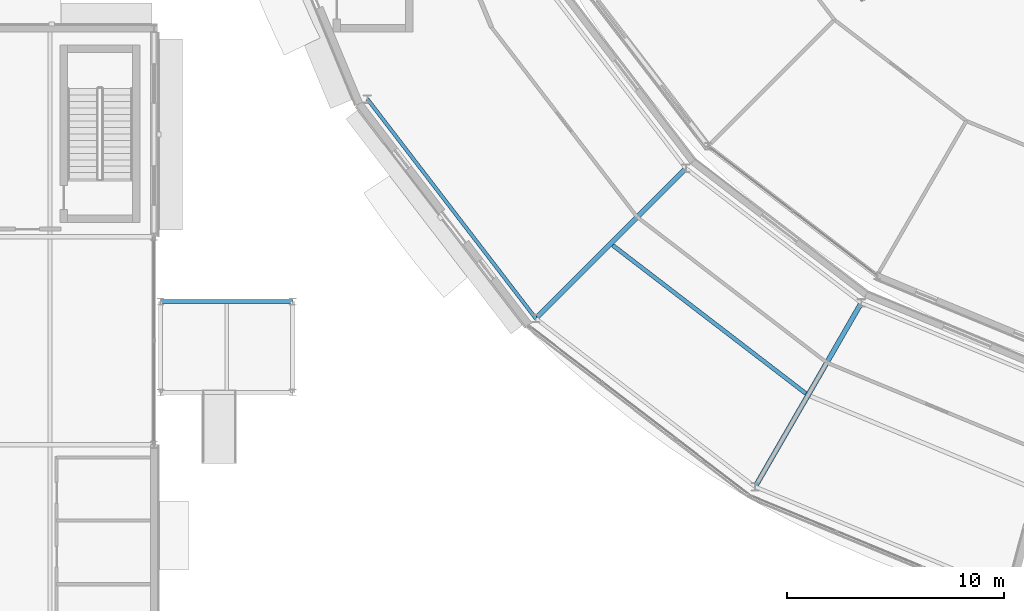
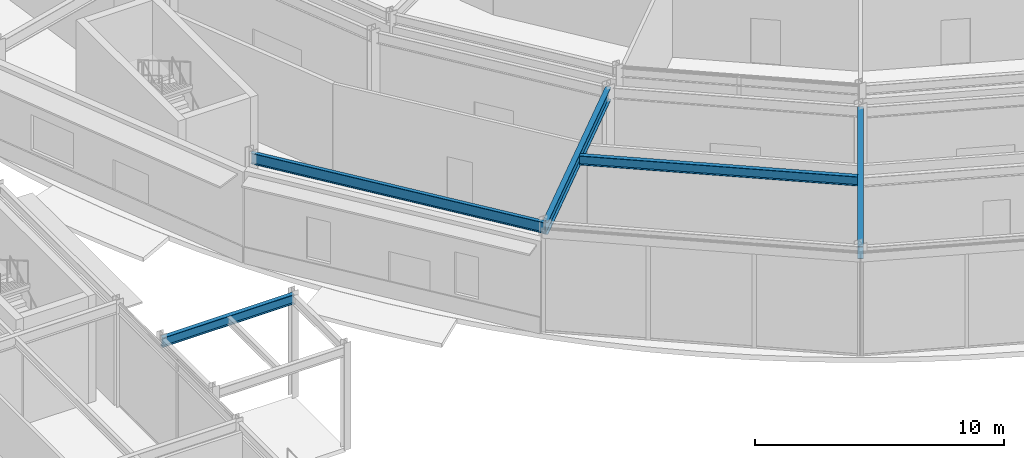
# One storey, part 29 of 168: 5 beams.
"""IFC4 building model written with IfcOpenShell, lengths in metres."""

import ifcopenshell
import ifcopenshell.guid

model = None  # the IFC model being written
_history = None  # IfcOwnerHistory: only IFC2X3 demands one
_inside = {}  # id of a spatial element -> (the spatial element, [elements in it])
_under = {}  # id of a project, library or spatial element -> (it, [spatial elements below it])
_declared = {}  # id of a project -> (the project, [libraries it declares])
_typed = {}  # id of a type object -> (the type object, [elements of that type])
_made_of = {}  # id of a material, layer set ... -> (it, [elements and type objects made of it])


def new_model(schema):
    """Start an empty IFC model of exactly this schema.

    Asked for "IFC4X3", IfcOpenShell would pick the latest addendum, in which some entities
    have other attributes; the version numbers below select the first issue.
    IFC2X3 requires an IfcOwnerHistory on every rooted entity: one is made here for all.
    """
    global model, _history
    if schema == "IFC4X3":
        model = ifcopenshell.file(schema_version=(4, 3, 0, 0))
    else:
        model = ifcopenshell.file(schema=schema)
    _inside.clear()
    _under.clear()
    _declared.clear()
    _typed.clear()
    _made_of.clear()
    _history = None
    if model.schema == "IFC2X3":
        org = make("IfcOrganization", Name="unknown")
        user = make(
            "IfcPersonAndOrganization",
            ThePerson=make("IfcPerson", FamilyName="unknown"),
            TheOrganization=org,
        )
        app = make(
            "IfcApplication",
            ApplicationDeveloper=org,
            Version="unknown",
            ApplicationFullName="unknown",
            ApplicationIdentifier="unknown",
        )
        _history = make(
            "IfcOwnerHistory",
            OwningUser=user,
            OwningApplication=app,
            ChangeAction="ADDED",
            CreationDate=0,
        )
    return model


def make(cls, **values):
    """One entity of the class cls with the attributes given. An attribute that is None is left unset."""
    return model.create_entity(
        cls, **{name: value for name, value in values.items() if value is not None}
    )


def rooted(cls, **values):
    """An entity with a GlobalId (a new one), such as an element, a storey or a relation."""
    return make(cls, GlobalId=ifcopenshell.guid.new(), OwnerHistory=_history, **values)


def si_unit(unit_type, name, prefix=None):
    """IfcSIUnit, for example si_unit("LENGTHUNIT", "METRE", prefix="MILLI")."""
    return make("IfcSIUnit", UnitType=unit_type, Prefix=prefix, Name=name)


def assignment(units):
    """IfcUnitAssignment: the units of a project."""
    return None if units is None else make("IfcUnitAssignment", Units=units)


def point(xyz):
    """IfcCartesianPoint."""
    return None if xyz is None else make("IfcCartesianPoint", Coordinates=xyz)


def direction(xyz):
    """IfcDirection."""
    return None if xyz is None else make("IfcDirection", DirectionRatios=xyz)


def frame(location, z_axis=None, x_axis=None):
    """IfcAxis2Placement3D, a coordinate frame: its origin and axes. An axis left out is left unset."""
    return make(
        "IfcAxis2Placement3D",
        Location=point(location),
        Axis=direction(z_axis),
        RefDirection=direction(x_axis),
    )


def frame_2d(location, x_axis=None):
    """IfcAxis2Placement2D, a coordinate frame in the plane: its origin and x axis."""
    return make(
        "IfcAxis2Placement2D", Location=point(location), RefDirection=direction(x_axis)
    )


def origin():
    """The frame at (0, 0, 0) with its axes left unset."""
    return frame((0.0, 0.0, 0.0))


def origin_2d():
    """The frame at (0, 0) in the plane with its x axis left unset."""
    return frame_2d((0.0, 0.0))


def place(relative_to, where):
    """IfcLocalPlacement: puts the frame where relative to a parent placement (None: the world)."""
    return make(
        "IfcLocalPlacement", PlacementRelTo=relative_to, RelativePlacement=where
    )


def context(
    kind, dimensions, precision=None, world=None, true_north=None, identifier=None
):
    """IfcGeometricRepresentationContext, for example the 3D "Model" context."""
    return make(
        "IfcGeometricRepresentationContext",
        ContextIdentifier=identifier,
        ContextType=kind,
        CoordinateSpaceDimension=dimensions,
        Precision=precision,
        WorldCoordinateSystem=world,
        TrueNorth=true_north,
    )


def subcontext(parent, identifier, kind, view, scale=None):
    """IfcGeometricRepresentationSubContext, for example "Body" below "Model"."""
    return make(
        "IfcGeometricRepresentationSubContext",
        ContextIdentifier=identifier,
        ContextType=kind,
        ParentContext=parent,
        TargetScale=scale,
        TargetView=view,
    )


def project(units=None, contexts=None):
    """IfcProject with its units and contexts."""
    return rooted(
        "IfcProject",
        Name="project",
        RepresentationContexts=contexts,
        UnitsInContext=assignment(units),
    )


def spatial(cls, under=None, at=None, **own):
    """A site, building, storey or space (cls), placed at a placement, below another one or the project."""
    s = rooted(cls, ObjectPlacement=at, **own)
    if under is not None:
        _under.setdefault(under.id(), (under, []))[1].append(s)
    return s


def profile(cls, at=None, kind="AREA", **sizes):
    """A parametric profile (cls). Its sizes go by their IFC names, for example OverallWidth=200.0."""
    return make(cls, ProfileType=kind, Position=at, **sizes)


def i_section(**sizes):
    """IfcIShapeProfileDef."""
    return profile("IfcIShapeProfileDef", **sizes)


def extrude(swept, where, along, depth):
    """IfcExtrudedAreaSolid: the profile swept, set in the frame where, extruded along a direction by depth."""
    return make(
        "IfcExtrudedAreaSolid",
        SweptArea=swept,
        Position=where,
        ExtrudedDirection=direction(along),
        Depth=depth,
    )


def shape(context_of_items, identifier, shape_type, items):
    """IfcShapeRepresentation: the items that make up one representation, for example the "Body"."""
    return make(
        "IfcShapeRepresentation",
        ContextOfItems=context_of_items,
        RepresentationIdentifier=identifier,
        RepresentationType=shape_type,
        Items=items,
    )


def material(Name=None, Category=None):
    """IfcMaterial."""
    return make("IfcMaterial", Name=Name, Category=Category)


def material_profile(
    of_material, cross_section, Name=None, Category=None, Priority=None
):
    """IfcMaterialProfile: a cross section and its material."""
    return make(
        "IfcMaterialProfile",
        Name=Name,
        Material=of_material,
        Profile=cross_section,
        Priority=Priority,
        Category=Category,
    )


def profile_set(profiles, Name=None, composite=None):
    """IfcMaterialProfileSet."""
    return make(
        "IfcMaterialProfileSet",
        Name=Name,
        MaterialProfiles=profiles,
        CompositeProfile=composite,
    )


def made_of(thing, what):
    """Note that an element or type object is made of a material, layer set ...; save() writes the relation."""
    if what is not None:
        _made_of.setdefault(what.id(), (what, []))[1].append(thing)
    return thing


def type_object(cls, material=None, **own):
    """A type object (cls), such as IfcWallType, which elements share."""
    return made_of(rooted(cls, **own), material)


def element(
    cls,
    number,
    at=None,
    inside=None,
    cuts=None,
    type_object=None,
    material=None,
    context=None,
    identifier="Body",
    shape_type=None,
    held_by="IfcProductDefinitionShape",
    body=None,
    shapes=None,
    **own,
):
    """One element of the class cls, such as IfcWall. Its Tag is "e" and its number.

    at: its placement. inside: the storey or other place that contains it. cuts: it is an
    opening in that element (IfcRelVoidsElement). A single representation is given by context,
    identifier, shape_type and body (its items); several are given by shapes. held_by: the class
    of the entity that holds the representations. save() writes the other relations.
    """
    e = rooted(cls, Tag="e%d" % number, ObjectPlacement=at, **own)
    if body is not None:
        shapes = [shape(context, identifier, shape_type, body)]
    if shapes is not None:
        e.Representation = make(held_by, Representations=shapes)
    if inside is not None:
        _inside.setdefault(inside.id(), (inside, []))[1].append(e)
    if cuts is not None:
        rooted(
            "IfcRelVoidsElement", RelatingBuildingElement=cuts, RelatedOpeningElement=e
        )
    if type_object is not None:
        _typed.setdefault(type_object.id(), (type_object, []))[1].append(e)
    return made_of(e, material)


def aggregate(whole, parts):
    """IfcRelAggregates: a whole, such as a stair, and the parts it consists of."""
    return rooted("IfcRelAggregates", RelatingObject=whole, RelatedObjects=parts)


def save(model, path):
    """Write the relations noted so far, then the file.

    IfcRelAggregates (storeys below a building ...), IfcRelContainedInSpatialStructure (elements
    in a storey), IfcRelDefinesByType, IfcRelAssociatesMaterial and IfcRelDeclares: one each for
    every whole, place, type object, material and project.
    """
    for whole, parts in _under.values():
        aggregate(whole, parts)
    for where, things in _inside.values():
        rooted(
            "IfcRelContainedInSpatialStructure",
            RelatedElements=things,
            RelatingStructure=where,
        )
    for kind, things in _typed.values():
        rooted("IfcRelDefinesByType", RelatedObjects=things, RelatingType=kind)
    for what, things in _made_of.values():
        rooted("IfcRelAssociatesMaterial", RelatedObjects=things, RelatingMaterial=what)
    for by, libraries in _declared.values():
        rooted("IfcRelDeclares", RelatingContext=by, RelatedDefinitions=libraries)
    model.write(path)


model = new_model("IFC4")

# Units and contexts
model_context = context("Model", 3, precision=1e-05, world=origin(), true_north=direction((0.0, 1.0)))
body_context = subcontext(model_context, "Body", "Model", "MODEL_VIEW")
ifc_project = project(units=[si_unit("LENGTHUNIT", "METRE"), si_unit("AREAUNIT", "SQUARE_METRE"), si_unit("VOLUMEUNIT", "CUBIC_METRE"), si_unit("PLANEANGLEUNIT", "RADIAN"), si_unit("MASSUNIT", "GRAM", prefix="KILO")], contexts=[model_context])

# Site, building, storey
site_placement = place(None, origin())
site = spatial("IfcSite", under=ifc_project, at=site_placement, CompositionType="ELEMENT")
building_placement = place(site_placement, origin())
building = spatial("IfcBuilding", under=site, at=building_placement, Name="Almandine Court Research Institute", CompositionType="ELEMENT")
storey_placement = place(building_placement, origin())
storey = spatial("IfcBuildingStorey", under=building, at=storey_placement, Name="L00", CompositionType="ELEMENT", Elevation=0.0)

# Beams
ifc_material = material(Name="Steel ASTM A992 Grade 50", Category="steel")
ifc_material_profile_1 = material_profile(ifc_material, i_section(OverallWidth=0.18994140625, OverallDepth=0.45703125, WebThickness=0.009033203125, FlangeThickness=0.014892578125, at=origin_2d()), Name="W460x74")
ifc_profile_set_1 = profile_set([ifc_material_profile_1], Name="Steel ASTM A992 Grade 50")
beam_type_1 = type_object("IfcBeamType", Name="Beam-B-01", PredefinedType="BEAM", material=ifc_profile_set_1)
beam_1_placement = place(storey_placement, frame((55.971923828125, 24.802978515625, 4.841064453125), z_axis=(0.793343941772, -0.608773677202, 0.0), x_axis=(0.608773677202, 0.793343941772, 0.0)))
element("IfcBeam", 1, at=beam_1_placement, inside=storey, type_object=beam_type_1, Name="L00 Drum MID Ring Beam 15", PredefinedType="BEAM", context=body_context, shape_type="SweptSolid", body=[
    extrude(i_section(OverallWidth=0.18994140625, OverallDepth=0.45703125, WebThickness=0.009033203125, FlangeThickness=0.014892578125, at=origin_2d()), origin(), (0.0, 0.0, 1.0), 11.248779296875),
])
ifc_material_profile_2 = material_profile(ifc_material, i_section(OverallWidth=0.22998046875, OverallDepth=0.616943359375, WebThickness=0.012939453125, FlangeThickness=0.02197265625, at=origin_2d()), Name="W610x140")
ifc_profile_set_2 = profile_set([ifc_material_profile_2], Name="Steel ASTM A992 Grade 50")
beam_type_2 = type_object("IfcBeamType", Name="Beam-G-02", PredefinedType="BEAM", material=ifc_profile_set_2)
beam_2_placement = place(storey_placement, frame((59.35205078125, 28.35205078125, 4.760986328125), z_axis=(-0.707106781187, -0.707106781187, 0.0), x_axis=(0.707106781187, -0.707106781187, 0.0)))
element("IfcBeam", 2, at=beam_2_placement, inside=storey, type_object=beam_type_2, Name="L00 Drum Radial Girder 15", PredefinedType="BEAM", context=body_context, shape_type="SweptSolid", body=[
    extrude(i_section(OverallWidth=0.22998046875, OverallDepth=0.616943359375, WebThickness=0.012939453125, FlangeThickness=0.02197265625, at=origin_2d()), origin(), (0.0, 0.0, 1.0), 9.80029296875),
])
beam_3_placement = place(storey_placement, frame((67.449951171875, 22.137939453125, 4.715087890625), z_axis=(-0.49999201416, -0.866030014362, 0.0), x_axis=(0.866030014362, -0.49999201416, 0.0)))
element("IfcBeam", 3, at=beam_3_placement, inside=storey, type_object=beam_type_2, Name="L00 Drum Radial Girder 16", PredefinedType="BEAM", context=body_context, shape_type="SweptSolid", body=[
    extrude(i_section(OverallWidth=0.22998046875, OverallDepth=0.616943359375, WebThickness=0.012939453125, FlangeThickness=0.02197265625, at=origin_2d()), origin(), (0.0, 0.0, 1.0), 9.800048828125),
])
ifc_material_profile_3 = material_profile(ifc_material, i_section(OverallWidth=0.166015625, OverallDepth=0.534912109375, WebThickness=0.010009765625, FlangeThickness=0.01708984375, at=origin_2d()), Name="W530x85")
ifc_profile_set_3 = profile_set([ifc_material_profile_3], Name="Steel ASTM A992 Grade 50")
beam_type_3 = type_object("IfcBeamType", Name="Beam-G-05-E", PredefinedType="SPANDREL", material=ifc_profile_set_3)
beam_4_placement = place(storey_placement, frame((44.65087890625, 31.550048828125, 4.802978515625), z_axis=(0.608751886289, -0.793360662587, 0.0), x_axis=(0.793360662587, 0.608751886289, 0.0)))
element("IfcBeam", 4, at=beam_4_placement, inside=storey, type_object=beam_type_3, Name="L00 Drum OUT Ring Beam 14", PredefinedType="SPANDREL", context=body_context, shape_type="SweptSolid", body=[
    extrude(i_section(OverallWidth=0.166015625, OverallDepth=0.534912109375, WebThickness=0.010009765625, FlangeThickness=0.01708984375, at=origin_2d()), origin(), (0.0, 0.0, 1.0), 12.765869140625),
])
ifc_material_profile_4 = material_profile(ifc_material, i_section(OverallWidth=0.193115234375, OverallDepth=0.466064453125, WebThickness=0.010986328125, FlangeThickness=0.01904296875, at=origin_2d()), Name="W460x97")
ifc_profile_set_4 = profile_set([ifc_material_profile_4], Name="Steel ASTM A992 Grade 50")
beam_type_4 = type_object("IfcBeamType", Name="Beam-G-06-E", PredefinedType="SPANDREL", material=ifc_profile_set_4)
beam_5_placement = place(storey_placement, frame((35.10009765625, 22.199951171875, 4.7900390625), z_axis=(1.0, 0.0, 0.0), x_axis=(0.0, 1.0, 0.0)))
element("IfcBeam", 5, at=beam_5_placement, inside=storey, type_object=beam_type_4, Name="L00 DAL-SW Primary X Girder", PredefinedType="SPANDREL", context=body_context, shape_type="SweptSolid", body=[
    extrude(i_section(OverallWidth=0.193115234375, OverallDepth=0.466064453125, WebThickness=0.010986328125, FlangeThickness=0.01904296875, at=origin_2d()), origin(), (0.0, 0.0, 1.0), 6.099853515625),
])

save(model, "model.ifc")
